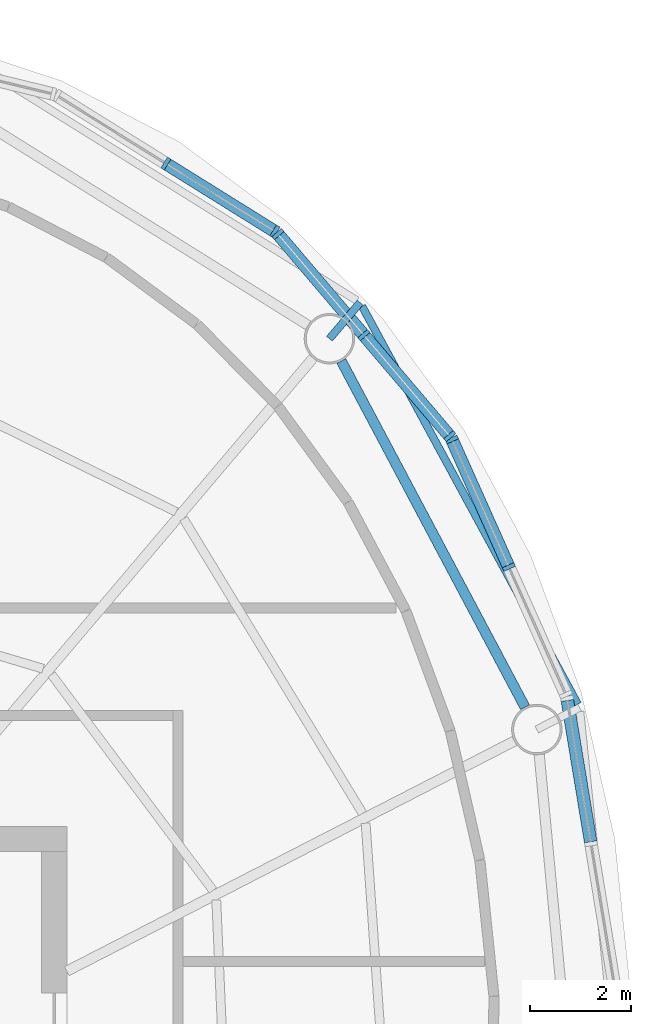
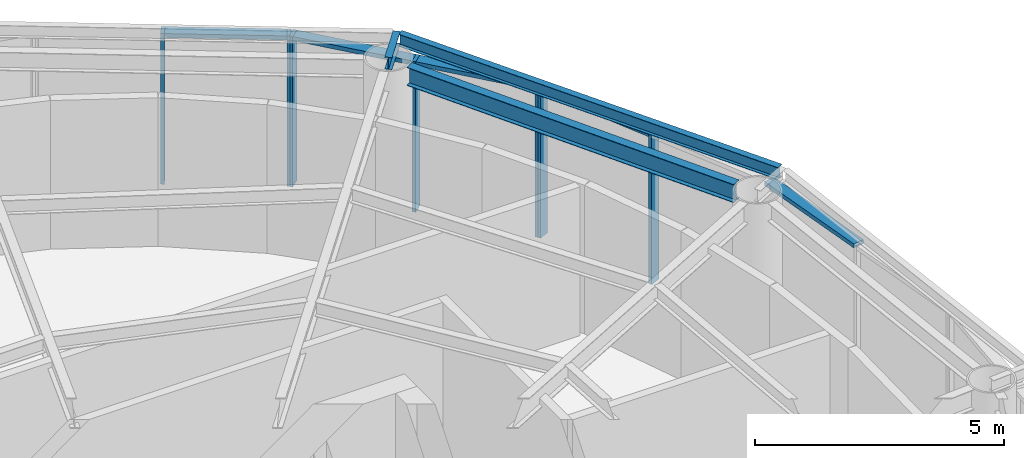
# One storey, part 6 of 11: 12 members, 3 beams, 4 elements without a shape of their own.
"""IFC4 building model written with IfcOpenShell, lengths in metres."""

import ifcopenshell
import ifcopenshell.guid

model = None  # the IFC model being written
_history = None  # IfcOwnerHistory: only IFC2X3 demands one
_inside = {}  # id of a spatial element -> (the spatial element, [elements in it])
_under = {}  # id of a project, library or spatial element -> (it, [spatial elements below it])
_declared = {}  # id of a project -> (the project, [libraries it declares])
_typed = {}  # id of a type object -> (the type object, [elements of that type])
_made_of = {}  # id of a material, layer set ... -> (it, [elements and type objects made of it])


def new_model(schema):
    """Start an empty IFC model of exactly this schema.

    Asked for "IFC4X3", IfcOpenShell would pick the latest addendum, in which some entities
    have other attributes; the version numbers below select the first issue.
    IFC2X3 requires an IfcOwnerHistory on every rooted entity: one is made here for all.
    """
    global model, _history
    if schema == "IFC4X3":
        model = ifcopenshell.file(schema_version=(4, 3, 0, 0))
    else:
        model = ifcopenshell.file(schema=schema)
    _inside.clear()
    _under.clear()
    _declared.clear()
    _typed.clear()
    _made_of.clear()
    _history = None
    if model.schema == "IFC2X3":
        org = make("IfcOrganization", Name="unknown")
        user = make(
            "IfcPersonAndOrganization",
            ThePerson=make("IfcPerson", FamilyName="unknown"),
            TheOrganization=org,
        )
        app = make(
            "IfcApplication",
            ApplicationDeveloper=org,
            Version="unknown",
            ApplicationFullName="unknown",
            ApplicationIdentifier="unknown",
        )
        _history = make(
            "IfcOwnerHistory",
            OwningUser=user,
            OwningApplication=app,
            ChangeAction="ADDED",
            CreationDate=0,
        )
    return model


def make(cls, **values):
    """One entity of the class cls with the attributes given. An attribute that is None is left unset."""
    return model.create_entity(
        cls, **{name: value for name, value in values.items() if value is not None}
    )


def rooted(cls, **values):
    """An entity with a GlobalId (a new one), such as an element, a storey or a relation."""
    return make(cls, GlobalId=ifcopenshell.guid.new(), OwnerHistory=_history, **values)


def si_unit(unit_type, name, prefix=None):
    """IfcSIUnit, for example si_unit("LENGTHUNIT", "METRE", prefix="MILLI")."""
    return make("IfcSIUnit", UnitType=unit_type, Prefix=prefix, Name=name)


def assignment(units):
    """IfcUnitAssignment: the units of a project."""
    return None if units is None else make("IfcUnitAssignment", Units=units)


def point(xyz):
    """IfcCartesianPoint."""
    return None if xyz is None else make("IfcCartesianPoint", Coordinates=xyz)


def direction(xyz):
    """IfcDirection."""
    return None if xyz is None else make("IfcDirection", DirectionRatios=xyz)


def frame(location, z_axis=None, x_axis=None):
    """IfcAxis2Placement3D, a coordinate frame: its origin and axes. An axis left out is left unset."""
    return make(
        "IfcAxis2Placement3D",
        Location=point(location),
        Axis=direction(z_axis),
        RefDirection=direction(x_axis),
    )


def frame_2d(location, x_axis=None):
    """IfcAxis2Placement2D, a coordinate frame in the plane: its origin and x axis."""
    return make(
        "IfcAxis2Placement2D", Location=point(location), RefDirection=direction(x_axis)
    )


def origin():
    """The frame at (0, 0, 0) with its axes left unset."""
    return frame((0.0, 0.0, 0.0))


def origin_2d():
    """The frame at (0, 0) in the plane with its x axis left unset."""
    return frame_2d((0.0, 0.0))


def place(relative_to, where):
    """IfcLocalPlacement: puts the frame where relative to a parent placement (None: the world)."""
    return make(
        "IfcLocalPlacement", PlacementRelTo=relative_to, RelativePlacement=where
    )


def context(
    kind, dimensions, precision=None, world=None, true_north=None, identifier=None
):
    """IfcGeometricRepresentationContext, for example the 3D "Model" context."""
    return make(
        "IfcGeometricRepresentationContext",
        ContextIdentifier=identifier,
        ContextType=kind,
        CoordinateSpaceDimension=dimensions,
        Precision=precision,
        WorldCoordinateSystem=world,
        TrueNorth=true_north,
    )


def subcontext(parent, identifier, kind, view, scale=None):
    """IfcGeometricRepresentationSubContext, for example "Body" below "Model"."""
    return make(
        "IfcGeometricRepresentationSubContext",
        ContextIdentifier=identifier,
        ContextType=kind,
        ParentContext=parent,
        TargetScale=scale,
        TargetView=view,
    )


def project(units=None, contexts=None):
    """IfcProject with its units and contexts."""
    return rooted(
        "IfcProject",
        Name="project",
        RepresentationContexts=contexts,
        UnitsInContext=assignment(units),
    )


def spatial(cls, under=None, at=None, **own):
    """A site, building, storey or space (cls), placed at a placement, below another one or the project."""
    s = rooted(cls, ObjectPlacement=at, **own)
    if under is not None:
        _under.setdefault(under.id(), (under, []))[1].append(s)
    return s


def profile(cls, at=None, kind="AREA", **sizes):
    """A parametric profile (cls). Its sizes go by their IFC names, for example OverallWidth=200.0."""
    return make(cls, ProfileType=kind, Position=at, **sizes)


def rectangle(**sizes):
    """IfcRectangleProfileDef."""
    return profile("IfcRectangleProfileDef", **sizes)


def i_section(**sizes):
    """IfcIShapeProfileDef."""
    return profile("IfcIShapeProfileDef", **sizes)


def extrude(swept, where, along, depth):
    """IfcExtrudedAreaSolid: the profile swept, set in the frame where, extruded along a direction by depth."""
    return make(
        "IfcExtrudedAreaSolid",
        SweptArea=swept,
        Position=where,
        ExtrudedDirection=direction(along),
        Depth=depth,
    )


def shape(context_of_items, identifier, shape_type, items):
    """IfcShapeRepresentation: the items that make up one representation, for example the "Body"."""
    return make(
        "IfcShapeRepresentation",
        ContextOfItems=context_of_items,
        RepresentationIdentifier=identifier,
        RepresentationType=shape_type,
        Items=items,
    )


def material(Name=None, Category=None):
    """IfcMaterial."""
    return make("IfcMaterial", Name=Name, Category=Category)


def material_profile(
    of_material, cross_section, Name=None, Category=None, Priority=None
):
    """IfcMaterialProfile: a cross section and its material."""
    return make(
        "IfcMaterialProfile",
        Name=Name,
        Material=of_material,
        Profile=cross_section,
        Priority=Priority,
        Category=Category,
    )


def profile_set(profiles, Name=None, composite=None):
    """IfcMaterialProfileSet."""
    return make(
        "IfcMaterialProfileSet",
        Name=Name,
        MaterialProfiles=profiles,
        CompositeProfile=composite,
    )


def made_of(thing, what):
    """Note that an element or type object is made of a material, layer set ...; save() writes the relation."""
    if what is not None:
        _made_of.setdefault(what.id(), (what, []))[1].append(thing)
    return thing


def type_object(cls, material=None, **own):
    """A type object (cls), such as IfcWallType, which elements share."""
    return made_of(rooted(cls, **own), material)


def element(
    cls,
    number,
    at=None,
    inside=None,
    cuts=None,
    type_object=None,
    material=None,
    context=None,
    identifier="Body",
    shape_type=None,
    held_by="IfcProductDefinitionShape",
    body=None,
    shapes=None,
    **own,
):
    """One element of the class cls, such as IfcWall. Its Tag is "e" and its number.

    at: its placement. inside: the storey or other place that contains it. cuts: it is an
    opening in that element (IfcRelVoidsElement). A single representation is given by context,
    identifier, shape_type and body (its items); several are given by shapes. held_by: the class
    of the entity that holds the representations. save() writes the other relations.
    """
    e = rooted(cls, Tag="e%d" % number, ObjectPlacement=at, **own)
    if body is not None:
        shapes = [shape(context, identifier, shape_type, body)]
    if shapes is not None:
        e.Representation = make(held_by, Representations=shapes)
    if inside is not None:
        _inside.setdefault(inside.id(), (inside, []))[1].append(e)
    if cuts is not None:
        rooted(
            "IfcRelVoidsElement", RelatingBuildingElement=cuts, RelatedOpeningElement=e
        )
    if type_object is not None:
        _typed.setdefault(type_object.id(), (type_object, []))[1].append(e)
    return made_of(e, material)


def aggregate(whole, parts):
    """IfcRelAggregates: a whole, such as a stair, and the parts it consists of."""
    return rooted("IfcRelAggregates", RelatingObject=whole, RelatedObjects=parts)


def save(model, path):
    """Write the relations noted so far, then the file.

    IfcRelAggregates (storeys below a building ...), IfcRelContainedInSpatialStructure (elements
    in a storey), IfcRelDefinesByType, IfcRelAssociatesMaterial and IfcRelDeclares: one each for
    every whole, place, type object, material and project.
    """
    for whole, parts in _under.values():
        aggregate(whole, parts)
    for where, things in _inside.values():
        rooted(
            "IfcRelContainedInSpatialStructure",
            RelatedElements=things,
            RelatingStructure=where,
        )
    for kind, things in _typed.values():
        rooted("IfcRelDefinesByType", RelatedObjects=things, RelatingType=kind)
    for what, things in _made_of.values():
        rooted("IfcRelAssociatesMaterial", RelatedObjects=things, RelatingMaterial=what)
    for by, libraries in _declared.values():
        rooted("IfcRelDeclares", RelatingContext=by, RelatedDefinitions=libraries)
    model.write(path)


model = new_model("IFC4")

# Units and contexts
model_context = context("Model", 3, precision=1e-05, world=origin(), true_north=direction((0.0, 1.0)))
body_context = subcontext(model_context, "Body", "Model", "MODEL_VIEW")
ifc_project = project(units=[si_unit("LENGTHUNIT", "METRE"), si_unit("AREAUNIT", "SQUARE_METRE"), si_unit("VOLUMEUNIT", "CUBIC_METRE"), si_unit("PLANEANGLEUNIT", "RADIAN"), si_unit("MASSUNIT", "GRAM", prefix="KILO")], contexts=[model_context])

# Site, building, storey
site_placement = place(None, origin())
site = spatial("IfcSite", under=ifc_project, at=site_placement, CompositionType="ELEMENT")
building_placement = place(site_placement, origin())
building = spatial("IfcBuilding", under=site, at=building_placement, Name="Vermilion Reach Broadcast Tower", CompositionType="ELEMENT")
storey_placement = place(building_placement, frame((0.0, 0.0, 321.300048828125)))
storey = spatial("IfcBuildingStorey", under=building, at=storey_placement, Name="L80 CROWN", CompositionType="ELEMENT", Elevation=321.300048828125)

# Curtain wall, members
ifc_material_1 = material(Name="Low-e laminated clear glass in aluminium frame", Category="aluminium")
curtain_wall_type = type_object("IfcCurtainWallType", Name="Crown glazing curtain wall", PredefinedType="NOTDEFINED", material=ifc_material_1)
placement = place(storey_placement, origin())
curtain_wall_1 = element("IfcCurtainWall", 1, at=placement, inside=storey, type_object=curtain_wall_type, Name="Crown glazing L80 CROWN 22", PredefinedType="NOTDEFINED")
ifc_material_2 = material(Name="Anodised aluminium", Category="aluminium")
ifc_material_profile_1 = material_profile(ifc_material_2, rectangle(XDim=0.25, YDim=0.080078125, at=origin_2d()), Name="Crown glazing mullion 80 x 250")
ifc_profile_set_1 = profile_set([ifc_material_profile_1], Name="Anodised aluminium")
member_type_1 = type_object("IfcMemberType", Name="Crown glazing mullion 80 x 250", PredefinedType="MULLION", material=ifc_profile_set_1)
member_1_placement = place(storey_placement, frame((12.35205078125, 12.9365234375, 0.0), z_axis=(0.0, 0.0, 1.0), x_axis=(-0.912988806241, -0.407984607158, 0.0)))
member_1 = element("IfcMember", 2, at=member_1_placement, type_object=member_type_1, Name="Crown glazing mullion L80 CROWN 22.2", PredefinedType="MULLION", context=body_context, shape_type="SweptSolid", body=[
    extrude(rectangle(XDim=0.25, YDim=0.080078125, at=origin_2d()), origin(), (0.0, 0.0, 1.0), 3.699951171875),
])
member_2_placement = place(storey_placement, frame((11.2236328125, 15.46142578125, 0.0), z_axis=(0.0, 0.0, 1.0), x_axis=(-0.912988806241, -0.407984607158, 0.0)))
member_2 = element("IfcMember", 3, at=member_2_placement, type_object=member_type_1, Name="Crown glazing mullion L80 CROWN 22.3", PredefinedType="MULLION", context=body_context, shape_type="SweptSolid", body=[
    extrude(rectangle(XDim=0.25, YDim=0.080078125, at=origin_2d()), origin(), (0.0, 0.0, 1.0), 3.699951171875),
])

curtain_wall_2 = element("IfcCurtainWall", 4, at=placement, inside=storey, type_object=curtain_wall_type, Name="Crown glazing L80 CROWN 23", PredefinedType="NOTDEFINED")
member_3_placement = place(storey_placement, frame((11.181396484375, 15.5283203125, 0.0), z_axis=(0.0, 0.0, 1.0), x_axis=(-0.761749854468, -0.647871252038, 0.0)))
member_3 = element("IfcMember", 5, at=member_3_placement, type_object=member_type_1, Name="Crown glazing mullion L80 CROWN 23.1", PredefinedType="MULLION", context=body_context, shape_type="SweptSolid", body=[
    extrude(rectangle(XDim=0.25, YDim=0.080078125, at=origin_2d()), origin(), (0.0, 0.0, 1.0), 3.699951171875),
])
member_4_placement = place(storey_placement, frame((9.480224609375, 17.52880859375, 0.0), z_axis=(0.0, 0.0, 1.0), x_axis=(-0.761749854468, -0.647871252038, 0.0)))
member_4 = element("IfcMember", 6, at=member_4_placement, type_object=member_type_1, Name="Crown glazing mullion L80 CROWN 23.2", PredefinedType="MULLION", context=body_context, shape_type="SweptSolid", body=[
    extrude(rectangle(XDim=0.25, YDim=0.080078125, at=origin_2d()), origin(), (0.0, 0.0, 1.0), 3.699951171875),
])
member_5_placement = place(storey_placement, frame((7.77880859375, 19.529052734375, 0.0), z_axis=(0.0, 0.0, 1.0), x_axis=(-0.761749854468, -0.647871252038, 0.0)))
member_5 = element("IfcMember", 7, at=member_5_placement, type_object=member_type_1, Name="Crown glazing mullion L80 CROWN 23.3", PredefinedType="MULLION", context=body_context, shape_type="SweptSolid", body=[
    extrude(rectangle(XDim=0.25, YDim=0.080078125, at=origin_2d()), origin(), (0.0, 0.0, 1.0), 3.699951171875),
])

curtain_wall_3 = element("IfcCurtainWall", 8, at=placement, inside=storey, type_object=curtain_wall_type, Name="Crown glazing L80 CROWN 24", PredefinedType="NOTDEFINED")
member_6_placement = place(storey_placement, frame((7.718994140625, 19.580810546875, 0.0), z_axis=(0.0, 0.0, 1.0), x_axis=(-0.52886102859, -0.848708437827, 0.0)))
member_6 = element("IfcMember", 9, at=member_6_placement, type_object=member_type_1, Name="Crown glazing mullion L80 CROWN 24.1", PredefinedType="MULLION", context=body_context, shape_type="SweptSolid", body=[
    extrude(rectangle(XDim=0.25, YDim=0.080078125, at=origin_2d()), origin(), (0.0, 0.0, 1.0), 3.699951171875),
])
member_7_placement = place(storey_placement, frame((5.5615234375, 20.925048828125, 0.0), z_axis=(0.0, 0.0, 1.0), x_axis=(-0.52886102859, -0.848708437827, 0.0)))
member_7 = element("IfcMember", 10, at=member_7_placement, type_object=member_type_1, Name="Crown glazing mullion L80 CROWN 24.2", PredefinedType="MULLION", context=body_context, shape_type="SweptSolid", body=[
    extrude(rectangle(XDim=0.25, YDim=0.080078125, at=origin_2d()), origin(), (0.0, 0.0, 1.0), 3.699951171875),
])

# Curtain wall, member
curtain_wall_4 = element("IfcCurtainWall", 11, at=placement, inside=storey, type_object=curtain_wall_type, Name="Crown glazing L80 CROWN 21", PredefinedType="NOTDEFINED")
ifc_material_3 = material(Name="Anodised aluminium", Category="aluminium")
ifc_material_profile_2 = material_profile(ifc_material_3, rectangle(XDim=0.25, YDim=0.10009765625, at=origin_2d()), Name="Crown glazing transom 250 x 100")
ifc_profile_set_2 = profile_set([ifc_material_profile_2], Name="Anodised aluminium")
member_type_2 = type_object("IfcMemberType", Name="Crown glazing transom 250 x 100", PredefinedType="USERDEFINED", material=ifc_profile_set_2)
member_8_placement = place(storey_placement, frame((13.970947265625, 7.496337890625, 3.64990234375), z_axis=(-0.162599033258, 0.986692228805, 0.0), x_axis=(-0.986692228805, -0.162599033258, 0.0)))
member_8 = element("IfcMember", 12, at=member_8_placement, type_object=member_type_2, Name="Crown glazing transom L80 CROWN 21.2.2", ObjectType="TRANSOM", PredefinedType="USERDEFINED", context=body_context, shape_type="SweptSolid", body=[
    extrude(rectangle(XDim=0.25, YDim=0.10009765625, at=origin_2d()), origin(), (0.0, 0.0, 1.0), 2.837890625),
])
aggregate(curtain_wall_4, [member_8])

# Member
member_9_placement = place(storey_placement, frame((12.335693359375, 12.97314453125, 3.64990234375), z_axis=(-0.40802713302, 0.912969801647, 0.0), x_axis=(-0.912969801647, -0.40802713302, 0.0)))
member_9 = element("IfcMember", 13, at=member_9_placement, type_object=member_type_2, Name="Crown glazing transom L80 CROWN 22.2.2", ObjectType="TRANSOM", PredefinedType="USERDEFINED", context=body_context, shape_type="SweptSolid", body=[
    extrude(rectangle(XDim=0.25, YDim=0.10009765625, at=origin_2d()), origin(), (0.0, 0.0, 1.0), 2.685302734375),
])

aggregate(curtain_wall_1, [member_1, member_2, member_9])

member_10_placement = place(storey_placement, frame((11.155517578125, 15.558837890625, 3.64990234375), z_axis=(-0.647848811341, 0.7617689398, 0.0), x_axis=(-0.7617689398, -0.647848811341, 0.0)))
member_10 = element("IfcMember", 14, at=member_10_placement, type_object=member_type_2, Name="Crown glazing transom L80 CROWN 23.1.2", ObjectType="TRANSOM", PredefinedType="USERDEFINED", context=body_context, shape_type="SweptSolid", body=[
    extrude(rectangle(XDim=0.25, YDim=0.10009765625, at=origin_2d()), origin(), (0.0, 0.0, 1.0), 2.5458984375),
])

member_11_placement = place(storey_placement, frame((9.454345703125, 17.55908203125, 3.64990234375), z_axis=(-0.647904451719, 0.761721616762, 0.0), x_axis=(-0.761721616762, -0.647904451719, 0.0)))
member_11 = element("IfcMember", 15, at=member_11_placement, type_object=member_type_2, Name="Crown glazing transom L80 CROWN 23.2.2", ObjectType="TRANSOM", PredefinedType="USERDEFINED", context=body_context, shape_type="SweptSolid", body=[
    extrude(rectangle(XDim=0.25, YDim=0.10009765625, at=origin_2d()), origin(), (0.0, 0.0, 1.0), 2.546142578125),
])

aggregate(curtain_wall_2, [member_3, member_4, member_5, member_10, member_11])

member_12_placement = place(storey_placement, frame((7.68505859375, 19.601806640625, 3.64990234375), z_axis=(-0.848682779768, 0.528902202043, 0.0), x_axis=(-0.528902202043, -0.848682779768, 0.0)))
member_12 = element("IfcMember", 16, at=member_12_placement, type_object=member_type_2, Name="Crown glazing transom L80 CROWN 24.1.2", ObjectType="TRANSOM", PredefinedType="USERDEFINED", context=body_context, shape_type="SweptSolid", body=[
    extrude(rectangle(XDim=0.25, YDim=0.10009765625, at=origin_2d()), origin(), (0.0, 0.0, 1.0), 2.462158203125),
])

aggregate(curtain_wall_3, [member_6, member_7, member_12])

# Beams
ifc_material_4 = material(Name="Steel S355J2", Category="steel")
ifc_material_profile_3 = material_profile(ifc_material_4, i_section(OverallWidth=0.14990234375, OverallDepth=0.300048828125, WebThickness=0.006591796875, FlangeThickness=0.009033203125, at=origin_2d()), Name="S355J2 HN 300x150x6.5x9")
ifc_profile_set_3 = profile_set([ifc_material_profile_3], Name="Steel S355J2")
beam_type_1 = type_object("IfcBeamType", Name="EB5 HN 300x150x6.5x9", PredefinedType="BEAM", material=ifc_profile_set_3)
beam_1_placement = place(storey_placement, frame((13.7158203125, 10.22119140625, 3.849853515625), z_axis=(-0.476526173128, 0.879160284774, 0.0), x_axis=(-0.879160284774, -0.476526173128, 0.0)))
element("IfcBeam", 17, at=beam_1_placement, inside=storey, type_object=beam_type_1, Name="Edge beam EB5-15", PredefinedType="BEAM", context=body_context, shape_type="SweptSolid", body=[
    extrude(i_section(OverallWidth=0.14990234375, OverallDepth=0.300048828125, WebThickness=0.006591796875, FlangeThickness=0.009033203125, at=origin_2d()), origin(), (0.0, 0.0, 1.0), 8.9638671875),
])
ifc_material_5 = material(Name="Steel S355J2", Category="steel")
ifc_material_profile_4 = material_profile(ifc_material_5, i_section(OverallWidth=0.14990234375, OverallDepth=0.300048828125, WebThickness=0.006591796875, FlangeThickness=0.009033203125, at=origin_2d()), Name="S355J2 HN 300x150x6.5x9")
ifc_profile_set_4 = profile_set([ifc_material_profile_4], Name="Steel S355J2")
beam_type_2 = type_object("IfcBeamType", Name="GS5 HN 300x150x6.5x9", PredefinedType="BEAM", material=ifc_profile_set_4)
beam_2_placement = place(storey_placement, frame((8.799560546875, 17.457275390625, 3.849853515625), z_axis=(0.646665495652, 0.762773712665, 0.0), x_axis=(-0.762773712665, 0.646665495652, 0.0)))
element("IfcBeam", 18, at=beam_2_placement, inside=storey, type_object=beam_type_2, Name="Cantilever stub GS5-16", PredefinedType="BEAM", context=body_context, shape_type="SweptSolid", body=[
    extrude(i_section(OverallWidth=0.14990234375, OverallDepth=0.300048828125, WebThickness=0.006591796875, FlangeThickness=0.009033203125, at=origin_2d()), origin(), (0.0, 0.0, 1.0), 0.937744140625),
])
ifc_material_6 = material(Name="Steel S355J2", Category="steel")
ifc_material_profile_5 = material_profile(ifc_material_6, i_section(OverallWidth=0.199951171875, OverallDepth=0.449951171875, WebThickness=0.009033203125, FlangeThickness=0.013916015625, at=origin_2d()), Name="S355J2 HN 450x200x9x14")
ifc_profile_set_5 = profile_set([ifc_material_profile_5], Name="Steel S355J2")
beam_type_3 = type_object("IfcBeamType", Name="RB5 HN 450x200x9x14", PredefinedType="BEAM", material=ifc_profile_set_5)
beam_3_placement = place(storey_placement, frame((12.671142578125, 10.161865234375, 3.77490234375), z_axis=(-0.468767917375, 0.883321368269, 0.0), x_axis=(-0.883321368269, -0.468767917375, 0.0)))
element("IfcBeam", 19, at=beam_3_placement, inside=storey, type_object=beam_type_3, Name="Ring beam RB5-15", PredefinedType="BEAM", context=body_context, shape_type="SweptSolid", body=[
    extrude(i_section(OverallWidth=0.199951171875, OverallDepth=0.449951171875, WebThickness=0.009033203125, FlangeThickness=0.013916015625, at=origin_2d()), origin(), (0.0, 0.0, 1.0), 7.759033203125),
])

save(model, "model.ifc")
